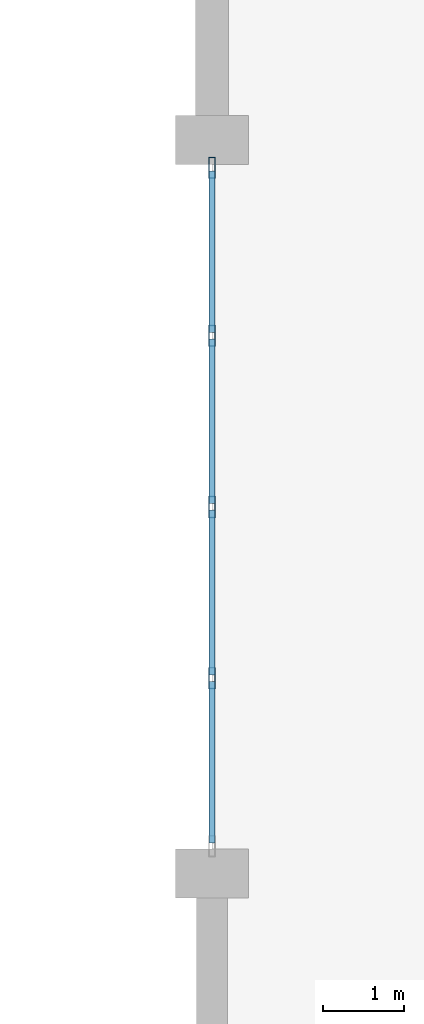
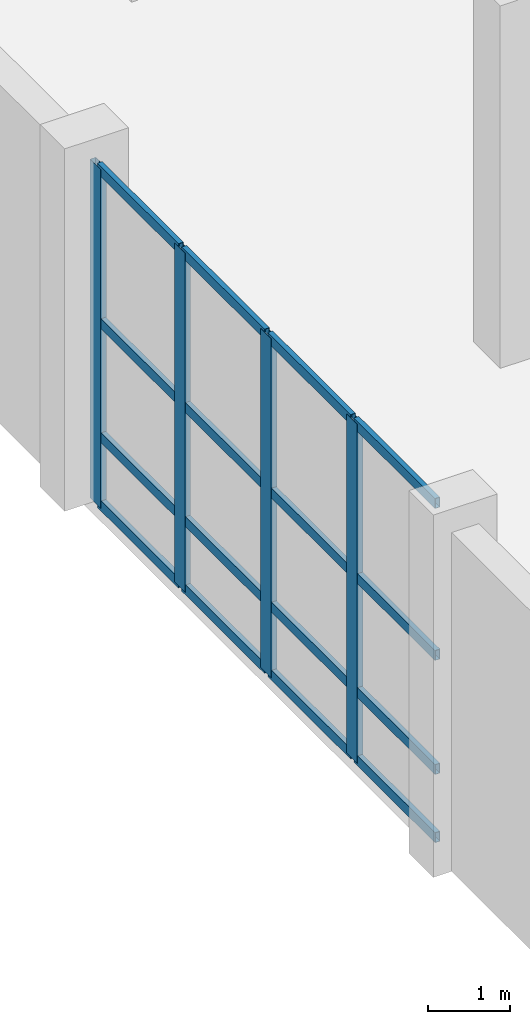
# One storey, part 8 of 41: 20 members, 1 element without a shape of its own.
"""IFC4 building model written with IfcOpenShell, lengths in metres."""

from ifc_helpers import new_model, si_unit, direction, frame, origin, origin_2d, place, context, subcontext, project, spatial, hollow_rectangle, extrude, material, layer, layer_set, material_profile, profile_set, type_object, element, aggregate, save


model = new_model("IFC4")

# Units and contexts
model_context = context("Model", 3, precision=1e-05, world=origin(), true_north=direction((0.0, 1.0)))
body_context = subcontext(model_context, "Body", "Model", "MODEL_VIEW")
ifc_project = project(units=[si_unit("LENGTHUNIT", "METRE"), si_unit("AREAUNIT", "SQUARE_METRE"), si_unit("VOLUMEUNIT", "CUBIC_METRE"), si_unit("PLANEANGLEUNIT", "RADIAN"), si_unit("MASSUNIT", "GRAM", prefix="KILO")], contexts=[model_context])

# Site, building, storey
site_placement = place(None, origin())
site = spatial("IfcSite", under=ifc_project, at=site_placement, CompositionType="ELEMENT")
building_placement = place(site_placement, origin())
building = spatial("IfcBuilding", under=site, at=building_placement, Name="Vaelkrest Opera House", CompositionType="ELEMENT")
storey_placement = place(building_placement, frame((0.0, 0.0, 24.60009765625)))
storey = spatial("IfcBuildingStorey", under=building, at=storey_placement, Name="L05", CompositionType="ELEMENT", Elevation=24.60009765625)

# Curtain wall, members
ifc_material = material(Name="Dark bronze anodized aluminium", Category="aluminium")
ifc_layer = layer(ifc_material, 0.25)
ifc_layer_set = layer_set([ifc_layer], Name="Dark bronze anodized aluminium")
curtain_wall_type = type_object("IfcCurtainWallType", Name="CW08", PredefinedType="NOTDEFINED", material=ifc_layer_set)
curtain_wall_placement = place(storey_placement, origin())
curtain_wall = element("IfcCurtainWall", 1, at=curtain_wall_placement, inside=storey, type_object=curtain_wall_type, Name="Curtain wall CW-L05-075", PredefinedType="NOTDEFINED")
ifc_material_profile_1 = material_profile(ifc_material, hollow_rectangle(XDim=0.080078125, YDim=0.260009765625, WallThickness=0.0048828125, at=origin_2d()), Name="CWM80X260")
ifc_profile_set_1 = profile_set([ifc_material_profile_1], Name="Dark bronze anodized aluminium")
member_type_1 = type_object("IfcMemberType", Name="CWM04", PredefinedType="MULLION", material=ifc_profile_set_1)
member_1_placement = place(storey_placement, frame((-30.0, -5.40087890625, 0.0), z_axis=(0.0, 0.0, 1.0), x_axis=(-1.0, 0.0, 0.0)))
member_1 = element("IfcMember", 2, at=member_1_placement, type_object=member_type_1, Name="CW08 mullion 2", PredefinedType="MULLION", context=body_context, shape_type="SweptSolid", body=[
    extrude(hollow_rectangle(XDim=0.080078125, YDim=0.260009765625, WallThickness=0.0048828125, at=origin_2d()), origin(), (0.0, 0.0, 1.0), 5.0498046875),
])
member_2_placement = place(storey_placement, frame((-30.0, -3.300048828125, 0.0), z_axis=(0.0, 0.0, 1.0), x_axis=(-1.0, 0.0, 0.0)))
member_2 = element("IfcMember", 3, at=member_2_placement, type_object=member_type_1, Name="CW08 mullion 3", PredefinedType="MULLION", context=body_context, shape_type="SweptSolid", body=[
    extrude(hollow_rectangle(XDim=0.080078125, YDim=0.260009765625, WallThickness=0.0048828125, at=origin_2d()), origin(), (0.0, 0.0, 1.0), 5.0498046875),
])
member_3_placement = place(storey_placement, frame((-30.0, -1.198974609375, 0.0), z_axis=(0.0, 0.0, 1.0), x_axis=(-1.0, 0.0, 0.0)))
member_3 = element("IfcMember", 4, at=member_3_placement, type_object=member_type_1, Name="CW08 mullion 4", PredefinedType="MULLION", context=body_context, shape_type="SweptSolid", body=[
    extrude(hollow_rectangle(XDim=0.080078125, YDim=0.260009765625, WallThickness=0.0048828125, at=origin_2d()), origin(), (0.0, 0.0, 1.0), 5.0498046875),
])
member_4_placement = place(storey_placement, frame((-30.0, 0.862060546875, 0.0), z_axis=(0.0, 0.0, 1.0), x_axis=(-1.0, 0.0, 0.0)))
member_4 = element("IfcMember", 5, at=member_4_placement, type_object=member_type_1, Name="CW08 mullion 5", PredefinedType="MULLION", context=body_context, shape_type="SweptSolid", body=[
    extrude(hollow_rectangle(XDim=0.080078125, YDim=0.260009765625, WallThickness=0.0048828125, at=origin_2d()), origin(), (0.0, 0.0, 1.0), 5.0498046875),
])
ifc_material_profile_2 = material_profile(ifc_material, hollow_rectangle(XDim=0.070068359375, YDim=0.14990234375, WallThickness=0.004150390625, at=origin_2d()), Name="CWT70X150")
ifc_profile_set_2 = profile_set([ifc_material_profile_2], Name="Dark bronze anodized aluminium")
member_type_2 = type_object("IfcMemberType", Name="CWT02", PredefinedType="USERDEFINED", material=ifc_profile_set_2)
member_5_placement = place(storey_placement, frame((-30.0, -7.422119140625, 0.034912109375), z_axis=(0.0, 1.0, 0.0), x_axis=(-1.0, 0.0, 0.0)))
member_5 = element("IfcMember", 6, at=member_5_placement, type_object=member_type_2, Name="CW08 transom 1.1", ObjectType="TRANSOM", PredefinedType="USERDEFINED", context=body_context, shape_type="SweptSolid", body=[
    extrude(hollow_rectangle(XDim=0.070068359375, YDim=0.14990234375, WallThickness=0.004150390625, at=origin_2d()), origin(), (0.0, 0.0, 1.0), 1.981201171875),
])
member_6_placement = place(storey_placement, frame((-30.0, -7.422119140625, 1.0498046875), z_axis=(0.0, 1.0, 0.0), x_axis=(-1.0, 0.0, 0.0)))
member_6 = element("IfcMember", 7, at=member_6_placement, type_object=member_type_2, Name="CW08 transom 1.2", ObjectType="TRANSOM", PredefinedType="USERDEFINED", context=body_context, shape_type="SweptSolid", body=[
    extrude(hollow_rectangle(XDim=0.070068359375, YDim=0.14990234375, WallThickness=0.004150390625, at=origin_2d()), origin(), (0.0, 0.0, 1.0), 1.981201171875),
])
member_7_placement = place(storey_placement, frame((-30.0, -7.422119140625, 2.75), z_axis=(0.0, 1.0, 0.0), x_axis=(-1.0, 0.0, 0.0)))
member_7 = element("IfcMember", 8, at=member_7_placement, type_object=member_type_2, Name="CW08 transom 1.3", ObjectType="TRANSOM", PredefinedType="USERDEFINED", context=body_context, shape_type="SweptSolid", body=[
    extrude(hollow_rectangle(XDim=0.070068359375, YDim=0.14990234375, WallThickness=0.004150390625, at=origin_2d()), origin(), (0.0, 0.0, 1.0), 1.981201171875),
])
member_8_placement = place(storey_placement, frame((-30.0, -7.422119140625, 5.014892578125), z_axis=(0.0, 1.0, 0.0), x_axis=(-1.0, 0.0, 0.0)))
member_8 = element("IfcMember", 9, at=member_8_placement, type_object=member_type_2, Name="CW08 transom 1.4", ObjectType="TRANSOM", PredefinedType="USERDEFINED", context=body_context, shape_type="SweptSolid", body=[
    extrude(hollow_rectangle(XDim=0.070068359375, YDim=0.14990234375, WallThickness=0.004150390625, at=origin_2d()), origin(), (0.0, 0.0, 1.0), 1.981201171875),
])
member_9_placement = place(storey_placement, frame((-30.0, -5.361083984375, 0.034912109375), z_axis=(0.0, 1.0, 0.0), x_axis=(-1.0, 0.0, 0.0)))
member_9 = element("IfcMember", 10, at=member_9_placement, type_object=member_type_2, Name="CW08 transom 2.1", ObjectType="TRANSOM", PredefinedType="USERDEFINED", context=body_context, shape_type="SweptSolid", body=[
    extrude(hollow_rectangle(XDim=0.070068359375, YDim=0.14990234375, WallThickness=0.004150390625, at=origin_2d()), origin(), (0.0, 0.0, 1.0), 2.02099609375),
])
member_10_placement = place(storey_placement, frame((-30.0, -5.361083984375, 1.0498046875), z_axis=(0.0, 1.0, 0.0), x_axis=(-1.0, 0.0, 0.0)))
member_10 = element("IfcMember", 11, at=member_10_placement, type_object=member_type_2, Name="CW08 transom 2.2", ObjectType="TRANSOM", PredefinedType="USERDEFINED", context=body_context, shape_type="SweptSolid", body=[
    extrude(hollow_rectangle(XDim=0.070068359375, YDim=0.14990234375, WallThickness=0.004150390625, at=origin_2d()), origin(), (0.0, 0.0, 1.0), 2.02099609375),
])
member_11_placement = place(storey_placement, frame((-30.0, -5.361083984375, 2.75), z_axis=(0.0, 1.0, 0.0), x_axis=(-1.0, 0.0, 0.0)))
member_11 = element("IfcMember", 12, at=member_11_placement, type_object=member_type_2, Name="CW08 transom 2.3", ObjectType="TRANSOM", PredefinedType="USERDEFINED", context=body_context, shape_type="SweptSolid", body=[
    extrude(hollow_rectangle(XDim=0.070068359375, YDim=0.14990234375, WallThickness=0.004150390625, at=origin_2d()), origin(), (0.0, 0.0, 1.0), 2.02099609375),
])
member_12_placement = place(storey_placement, frame((-30.0, -5.361083984375, 5.014892578125), z_axis=(0.0, 1.0, 0.0), x_axis=(-1.0, 0.0, 0.0)))
member_12 = element("IfcMember", 13, at=member_12_placement, type_object=member_type_2, Name="CW08 transom 2.4", ObjectType="TRANSOM", PredefinedType="USERDEFINED", context=body_context, shape_type="SweptSolid", body=[
    extrude(hollow_rectangle(XDim=0.070068359375, YDim=0.14990234375, WallThickness=0.004150390625, at=origin_2d()), origin(), (0.0, 0.0, 1.0), 2.02099609375),
])
member_13_placement = place(storey_placement, frame((-30.0, -3.260009765625, 0.034912109375), z_axis=(0.0, 1.0, 0.0), x_axis=(-1.0, 0.0, 0.0)))
member_13 = element("IfcMember", 14, at=member_13_placement, type_object=member_type_2, Name="CW08 transom 3.1", ObjectType="TRANSOM", PredefinedType="USERDEFINED", context=body_context, shape_type="SweptSolid", body=[
    extrude(hollow_rectangle(XDim=0.070068359375, YDim=0.14990234375, WallThickness=0.004150390625, at=origin_2d()), origin(), (0.0, 0.0, 1.0), 2.02099609375),
])
member_14_placement = place(storey_placement, frame((-30.0, -3.260009765625, 1.0498046875), z_axis=(0.0, 1.0, 0.0), x_axis=(-1.0, 0.0, 0.0)))
member_14 = element("IfcMember", 15, at=member_14_placement, type_object=member_type_2, Name="CW08 transom 3.2", ObjectType="TRANSOM", PredefinedType="USERDEFINED", context=body_context, shape_type="SweptSolid", body=[
    extrude(hollow_rectangle(XDim=0.070068359375, YDim=0.14990234375, WallThickness=0.004150390625, at=origin_2d()), origin(), (0.0, 0.0, 1.0), 2.02099609375),
])
member_15_placement = place(storey_placement, frame((-30.0, -3.260009765625, 2.75), z_axis=(0.0, 1.0, 0.0), x_axis=(-1.0, 0.0, 0.0)))
member_15 = element("IfcMember", 16, at=member_15_placement, type_object=member_type_2, Name="CW08 transom 3.3", ObjectType="TRANSOM", PredefinedType="USERDEFINED", context=body_context, shape_type="SweptSolid", body=[
    extrude(hollow_rectangle(XDim=0.070068359375, YDim=0.14990234375, WallThickness=0.004150390625, at=origin_2d()), origin(), (0.0, 0.0, 1.0), 2.02099609375),
])
member_16_placement = place(storey_placement, frame((-30.0, -3.260009765625, 5.014892578125), z_axis=(0.0, 1.0, 0.0), x_axis=(-1.0, 0.0, 0.0)))
member_16 = element("IfcMember", 17, at=member_16_placement, type_object=member_type_2, Name="CW08 transom 3.4", ObjectType="TRANSOM", PredefinedType="USERDEFINED", context=body_context, shape_type="SweptSolid", body=[
    extrude(hollow_rectangle(XDim=0.070068359375, YDim=0.14990234375, WallThickness=0.004150390625, at=origin_2d()), origin(), (0.0, 0.0, 1.0), 2.02099609375),
])
member_17_placement = place(storey_placement, frame((-30.0, -1.158935546875, 0.034912109375), z_axis=(0.0, 1.0, 0.0), x_axis=(-1.0, 0.0, 0.0)))
member_17 = element("IfcMember", 18, at=member_17_placement, type_object=member_type_2, Name="CW08 transom 4.1", ObjectType="TRANSOM", PredefinedType="USERDEFINED", context=body_context, shape_type="SweptSolid", body=[
    extrude(hollow_rectangle(XDim=0.070068359375, YDim=0.14990234375, WallThickness=0.004150390625, at=origin_2d()), origin(), (0.0, 0.0, 1.0), 1.98095703125),
])
member_18_placement = place(storey_placement, frame((-30.0, -1.158935546875, 1.0498046875), z_axis=(0.0, 1.0, 0.0), x_axis=(-1.0, 0.0, 0.0)))
member_18 = element("IfcMember", 19, at=member_18_placement, type_object=member_type_2, Name="CW08 transom 4.2", ObjectType="TRANSOM", PredefinedType="USERDEFINED", context=body_context, shape_type="SweptSolid", body=[
    extrude(hollow_rectangle(XDim=0.070068359375, YDim=0.14990234375, WallThickness=0.004150390625, at=origin_2d()), origin(), (0.0, 0.0, 1.0), 1.98095703125),
])
member_19_placement = place(storey_placement, frame((-30.0, -1.158935546875, 2.75), z_axis=(0.0, 1.0, 0.0), x_axis=(-1.0, 0.0, 0.0)))
member_19 = element("IfcMember", 20, at=member_19_placement, type_object=member_type_2, Name="CW08 transom 4.3", ObjectType="TRANSOM", PredefinedType="USERDEFINED", context=body_context, shape_type="SweptSolid", body=[
    extrude(hollow_rectangle(XDim=0.070068359375, YDim=0.14990234375, WallThickness=0.004150390625, at=origin_2d()), origin(), (0.0, 0.0, 1.0), 1.98095703125),
])
member_20_placement = place(storey_placement, frame((-30.0, -1.158935546875, 5.014892578125), z_axis=(0.0, 1.0, 0.0), x_axis=(-1.0, 0.0, 0.0)))
member_20 = element("IfcMember", 21, at=member_20_placement, type_object=member_type_2, Name="CW08 transom 4.4", ObjectType="TRANSOM", PredefinedType="USERDEFINED", context=body_context, shape_type="SweptSolid", body=[
    extrude(hollow_rectangle(XDim=0.070068359375, YDim=0.14990234375, WallThickness=0.004150390625, at=origin_2d()), origin(), (0.0, 0.0, 1.0), 1.98095703125),
])
aggregate(curtain_wall, [member_1, member_2, member_3, member_4, member_5, member_6, member_7, member_8, member_9, member_10, member_11, member_12, member_13, member_14, member_15, member_16, member_17, member_18, member_19, member_20])

save(model, "model.ifc")
